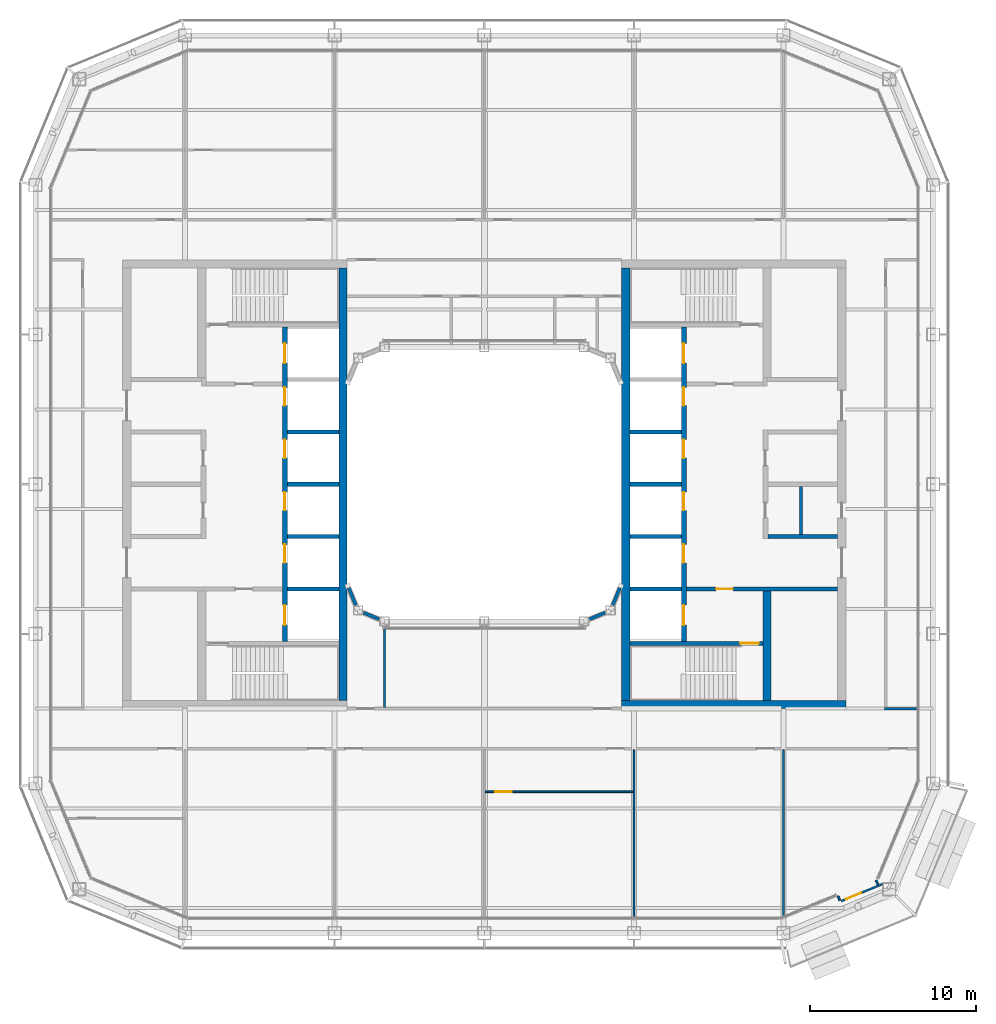
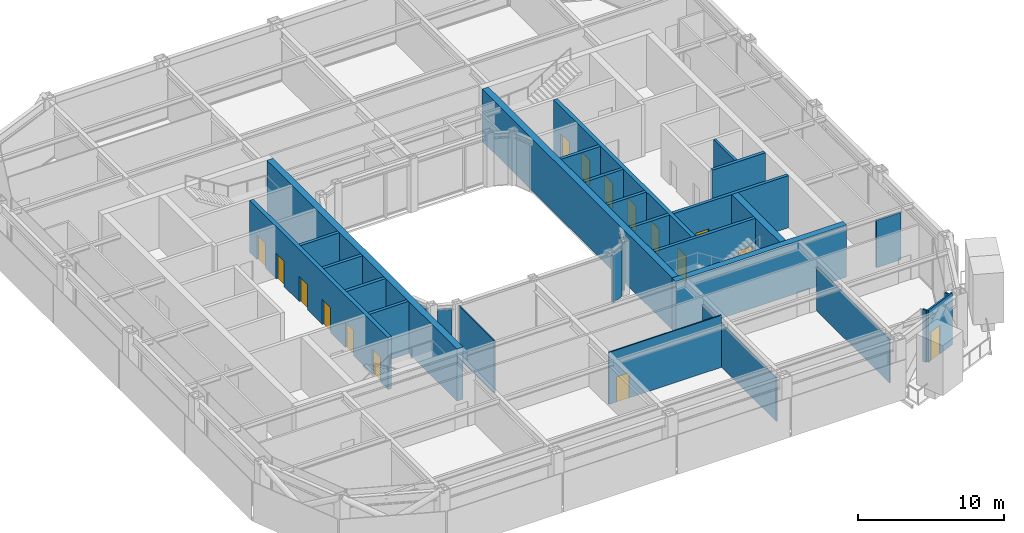
# One storey, part 13 of 22: 30 walls, 16 doors, 16 openings.
"""IFC4 building model written with IfcOpenShell, lengths in metres."""

from ifc_helpers import new_model, si_unit, direction, frame, frame_2d, origin, place, context, subcontext, project, spatial, rectangle, extrude, material, layer, layer_set, type_object, element, fill, save


model = new_model("IFC4")

# Units and contexts
model_context = context("Model", 3, precision=1e-05, world=origin(), true_north=direction((0.0, 1.0)))
body_context = subcontext(model_context, "Body", "Model", "MODEL_VIEW")
ifc_project = project(units=[si_unit("LENGTHUNIT", "METRE"), si_unit("AREAUNIT", "SQUARE_METRE"), si_unit("VOLUMEUNIT", "CUBIC_METRE"), si_unit("PLANEANGLEUNIT", "RADIAN"), si_unit("MASSUNIT", "GRAM", prefix="KILO")], contexts=[model_context])

# Site, building, storey
site_placement = place(None, origin())
site = spatial("IfcSite", under=ifc_project, at=site_placement, CompositionType="ELEMENT")
building_placement = place(site_placement, origin())
building = spatial("IfcBuilding", under=site, at=building_placement, Name="Siwar Civic Tower", CompositionType="ELEMENT")
storey_placement = place(building_placement, frame((0.0, 0.0, 255.699951171875)))
storey = spatial("IfcBuildingStorey", under=building, at=storey_placement, Name="L55", CompositionType="ELEMENT", Elevation=255.699951171875)

# Walls
ifc_material_1 = material(Name="Gypsum board on steel studs", Category="steel")
ifc_layer_1 = layer(ifc_material_1, 0.199951171875)
ifc_layer_set_1 = layer_set([ifc_layer_1], Name="Gypsum board on steel studs")
wall_type_1 = type_object("IfcWallType", Name="CORE-PARTITION-200", PredefinedType="PARTITIONING", material=ifc_layer_set_1)
wall_1_placement = place(storey_placement, frame((19.050048828125, -3.02490234375, 0.0), z_axis=(0.0, 0.0, 1.0), x_axis=(0.0, 1.0, 0.0)))
element("IfcWall", 1, at=wall_1_placement, inside=storey, type_object=wall_type_1, Name="Core partition E", PredefinedType="PARTITIONING", context=body_context, shape_type="SweptSolid", body=[
    extrude(rectangle(XDim=2.89990234375, YDim=0.199951171875, at=frame_2d((1.449951171875, 0.0))), origin(), (0.0, 0.0, 1.0), 4.35009765625),
])
ifc_material_2 = material(Name="Concrete C60/75", Category="concrete")
ifc_layer_2 = layer(ifc_material_2, 0.25)
ifc_layer_set_2 = layer_set([ifc_layer_2], Name="Concrete C60/75")
wall_type_2 = type_object("IfcWallType", Name="CORE-WALL-RC250", PredefinedType="SHEAR", material=ifc_layer_set_2)
for number, where, z_axis, x_axis, name in (
    (2, (-8.75, 0.0, 0.0), (0.0, 0.0, 1.0), (-1.0, 0.0, 0.0), "Core wall W"),
    (3, (-8.75, 3.14990234375, 0.0), (0.0, 0.0, 1.0), (-1.0, 0.0, 0.0), "Core wall W"),
    (4, (-8.75, -3.14990234375, 0.0), (0.0, 0.0, 1.0), (-1.0, 0.0, 0.0), "Core wall W"),
    (5, (-8.75, -6.300048828125, 0.0), (0.0, 0.0, 1.0), (-1.0, 0.0, 0.0), "Core wall W"),
):
    element("IfcWall", number, at=place(storey_placement, frame(where, z_axis=z_axis, x_axis=x_axis)), inside=storey, type_object=wall_type_2, Name=name, PredefinedType="SHEAR", context=body_context, shape_type="SweptSolid", body=[
        extrude(rectangle(XDim=3.10009765625, YDim=0.25, at=frame_2d((1.550048828125, 0.0))), origin(), (0.0, 0.0, 1.0), 4.35009765625),
    ])

# Wall, opening, door
wall_2_placement = place(storey_placement, frame((12.14990234375, -6.300048828125, 0.0), z_axis=(0.0, 0.0, 1.0), x_axis=(1.0, 0.0, 0.0)))
wall_2 = element("IfcWall", 6, at=wall_2_placement, inside=storey, type_object=wall_type_2, Name="Core wall E", PredefinedType="SHEAR", context=body_context, shape_type="SweptSolid", body=[
    extrude(rectangle(XDim=9.10009765625, YDim=0.25, at=frame_2d((4.550048828125, 0.0))), origin(), (0.0, 0.0, 1.0), 4.35009765625),
])
opening_1_placement = place(wall_2_placement, frame((1.800048828125, 0.0, 0.0)))
opening_1 = element("IfcOpeningElement", 7, at=opening_1_placement, cuts=wall_2, Name="Opening L55-CE02", PredefinedType="OPENING", context=body_context, shape_type="SweptSolid", body=[
    extrude(rectangle(XDim=1.0, YDim=2.10009765625, at=frame_2d((0.5, 1.050048828125))), frame((0.0, 0.135009765625, 0.0), z_axis=(0.0, -1.0, 0.0), x_axis=(1.0, 0.0, 0.0)), (0.0, 0.0, 1.0), 0.27001953125),
])
ifc_material_3 = material(Name="Steel door leaf", Category="steel")
door_type_1 = type_object("IfcDoorType", Name="CORE-DOOR-FD30S", OperationType="SINGLE_SWING_LEFT", PredefinedType="DOOR", material=ifc_material_3)
door_1_placement = place(opening_1_placement, origin())
door_1 = element("IfcDoor", 8, at=door_1_placement, inside=storey, type_object=door_type_1, Name="Service lobby door L55-CE02", OperationType="SINGLE_SWING_LEFT", OverallHeight=2.10009765625, OverallWidth=1.0, PredefinedType="DOOR", context=body_context, shape_type="SweptSolid", body=[
    extrude(rectangle(XDim=1.0, YDim=2.10009765625, at=frame_2d((0.5, 1.050048828125))), frame((0.0, 0.02490234375, 0.0), z_axis=(0.0, -1.0, 0.0), x_axis=(1.0, 0.0, 0.0)), (0.0, 0.0, 1.0), 0.050048828125),
])
fill(opening_1, door_1)

# Walls
wall_3_placement = place(storey_placement, frame((17.050048828125, -3.14990234375, 0.0), z_axis=(0.0, 0.0, 1.0), x_axis=(1.0, 0.0, 0.0)))
element("IfcWall", 9, at=wall_3_placement, inside=storey, type_object=wall_type_2, Name="Core wall E", PredefinedType="SHEAR", context=body_context, shape_type="SweptSolid", body=[
    extrude(rectangle(XDim=4.199951171875, YDim=0.25, at=frame_2d((2.10009765625, 0.0))), origin(), (0.0, 0.0, 1.0), 4.35009765625),
])
for number, where, z_axis, x_axis, name in (
    (10, (8.75, 0.0, 0.0), (0.0, 0.0, 1.0), (1.0, 0.0, 0.0), "Core wall E"),
    (11, (8.75, 3.14990234375, 0.0), (0.0, 0.0, 1.0), (1.0, 0.0, 0.0), "Core wall E"),
    (12, (8.75, -3.14990234375, 0.0), (0.0, 0.0, 1.0), (1.0, 0.0, 0.0), "Core wall E"),
    (13, (8.75, -6.300048828125, 0.0), (0.0, 0.0, 1.0), (1.0, 0.0, 0.0), "Core wall E"),
):
    element("IfcWall", number, at=place(storey_placement, frame(where, z_axis=z_axis, x_axis=x_axis)), inside=storey, type_object=wall_type_2, Name=name, PredefinedType="SHEAR", context=body_context, shape_type="SweptSolid", body=[
        extrude(rectangle(XDim=3.10009765625, YDim=0.25, at=frame_2d((1.550048828125, 0.0))), origin(), (0.0, 0.0, 1.0), 4.35009765625),
    ])

# Wall, opening, door
wall_4_placement = place(storey_placement, frame((8.75, -9.574951171875, 0.0), z_axis=(0.0, 0.0, 1.0), x_axis=(1.0, 0.0, 0.0)))
wall_4 = element("IfcWall", 14, at=wall_4_placement, inside=storey, type_object=wall_type_2, Name="Core wall E", PredefinedType="SHEAR", context=body_context, shape_type="SweptSolid", body=[
    extrude(rectangle(XDim=8.0, YDim=0.25, at=frame_2d((4.0, 0.0))), origin(), (0.0, 0.0, 1.0), 4.35009765625),
])
opening_2_placement = place(wall_4_placement, frame((6.64990234375, 0.0, 0.0)))
opening_2 = element("IfcOpeningElement", 15, at=opening_2_placement, cuts=wall_4, Name="Opening L55-CE04", PredefinedType="OPENING", context=body_context, shape_type="SweptSolid", body=[
    extrude(rectangle(XDim=1.10009765625, YDim=2.10009765625, at=frame_2d((0.550048828125, 1.050048828125))), frame((0.0, 0.135009765625, 0.0), z_axis=(0.0, -1.0, 0.0), x_axis=(1.0, 0.0, 0.0)), (0.0, 0.0, 1.0), 0.27001953125),
])
ifc_material_4 = material(Name="Steel door leaf", Category="steel")
door_type_2 = type_object("IfcDoorType", Name="CORE-DOOR-FD60S", OperationType="SINGLE_SWING_LEFT", PredefinedType="DOOR", material=ifc_material_4)
door_2_placement = place(opening_2_placement, origin())
door_2 = element("IfcDoor", 16, at=door_2_placement, inside=storey, type_object=door_type_2, Name="Stair door L55-CE04", OperationType="SINGLE_SWING_RIGHT", OverallHeight=2.10009765625, OverallWidth=1.10009765625, PredefinedType="DOOR", context=body_context, shape_type="SweptSolid", body=[
    extrude(rectangle(XDim=1.10009765625, YDim=2.10009765625, at=frame_2d((0.550048828125, 1.050048828125))), frame((0.0, 0.02490234375, 0.0), z_axis=(0.0, -1.0, 0.0), x_axis=(1.0, 0.0, 0.0)), (0.0, 0.0, 1.0), 0.050048828125),
])
fill(opening_2, door_2)

# Wall, openings, doors
ifc_material_5 = material(Name="Concrete C60/75", Category="concrete")
ifc_layer_3 = layer(ifc_material_5, 0.300048828125)
ifc_layer_set_3 = layer_set([ifc_layer_3], Name="Concrete C60/75")
wall_type_3 = type_object("IfcWallType", Name="CORE-WALL-RC300", PredefinedType="SHEAR", material=ifc_layer_set_3)
wall_5_placement = place(storey_placement, frame((-12.0, -9.449951171875, 0.0), z_axis=(0.0, 0.0, 1.0), x_axis=(0.0, 1.0, 0.0)))
wall_5 = element("IfcWall", 17, at=wall_5_placement, inside=storey, type_object=wall_type_3, Name="Core wall W", PredefinedType="SHEAR", context=body_context, shape_type="SweptSolid", body=[
    extrude(rectangle(XDim=18.89990234375, YDim=0.300048828125, at=frame_2d((9.449951171875, 0.0))), origin(), (0.0, 0.0, 1.0), 4.35009765625),
])
opening_3_placement = place(wall_5_placement, frame((4.72509765625, 0.0, 0.0)))
opening_3 = element("IfcOpeningElement", 18, at=opening_3_placement, cuts=wall_5, Name="Opening L55-CW07", PredefinedType="OPENING", context=body_context, shape_type="SweptSolid", body=[
    extrude(rectangle(XDim=1.10009765625, YDim=2.10009765625, at=frame_2d((0.550048828125, 1.050048828125))), frame((0.0, 0.16015625, 0.0), z_axis=(0.0, -1.0, 0.0), x_axis=(1.0, 0.0, 0.0)), (0.0, 0.0, 1.0), 0.320068359375),
])
opening_4_placement = place(wall_5_placement, frame((7.875, 0.0, 0.0)))
opening_4 = element("IfcOpeningElement", 19, at=opening_4_placement, cuts=wall_5, Name="Opening L55-CW08", PredefinedType="OPENING", context=body_context, shape_type="SweptSolid", body=[
    extrude(rectangle(XDim=1.10009765625, YDim=2.10009765625, at=frame_2d((0.550048828125, 1.050048828125))), frame((0.0, 0.16015625, 0.0), z_axis=(0.0, -1.0, 0.0), x_axis=(1.0, 0.0, 0.0)), (0.0, 0.0, 1.0), 0.320068359375),
])
opening_5_placement = place(wall_5_placement, frame((11.02490234375, 0.0, 0.0)))
opening_5 = element("IfcOpeningElement", 20, at=opening_5_placement, cuts=wall_5, Name="Opening L55-CW09", PredefinedType="OPENING", context=body_context, shape_type="SweptSolid", body=[
    extrude(rectangle(XDim=1.10009765625, YDim=2.10009765625, at=frame_2d((0.550048828125, 1.050048828125))), frame((0.0, 0.16015625, 0.0), z_axis=(0.0, -1.0, 0.0), x_axis=(1.0, 0.0, 0.0)), (0.0, 0.0, 1.0), 0.320068359375),
])
opening_6_placement = place(wall_5_placement, frame((14.175048828125, 0.0, 0.0)))
opening_6 = element("IfcOpeningElement", 21, at=opening_6_placement, cuts=wall_5, Name="Opening L55-CW10", PredefinedType="OPENING", context=body_context, shape_type="SweptSolid", body=[
    extrude(rectangle(XDim=1.10009765625, YDim=2.10009765625, at=frame_2d((0.550048828125, 1.050048828125))), frame((0.0, 0.16015625, 0.0), z_axis=(0.0, -1.0, 0.0), x_axis=(1.0, 0.0, 0.0)), (0.0, 0.0, 1.0), 0.320068359375),
])
opening_7_placement = place(wall_5_placement, frame((16.72509765625, 0.0, 0.0)))
opening_7 = element("IfcOpeningElement", 22, at=opening_7_placement, cuts=wall_5, Name="Opening L55-CW11", PredefinedType="OPENING", context=body_context, shape_type="SweptSolid", body=[
    extrude(rectangle(XDim=1.199951171875, YDim=2.10009765625, at=frame_2d((0.60009765625, 1.050048828125))), frame((0.0, 0.16015625, 0.0), z_axis=(0.0, -1.0, 0.0), x_axis=(1.0, 0.0, 0.0)), (0.0, 0.0, 1.0), 0.320068359375),
])
opening_8_placement = place(wall_5_placement, frame((0.97509765625, 0.0, 0.0)))
opening_8 = element("IfcOpeningElement", 23, at=opening_8_placement, cuts=wall_5, Name="Opening L55-CW12", PredefinedType="OPENING", context=body_context, shape_type="SweptSolid", body=[
    extrude(rectangle(XDim=1.199951171875, YDim=2.10009765625, at=frame_2d((0.60009765625, 1.050048828125))), frame((0.0, 0.16015625, 0.0), z_axis=(0.0, -1.0, 0.0), x_axis=(1.0, 0.0, 0.0)), (0.0, 0.0, 1.0), 0.320068359375),
])
ifc_material_6 = material(Name="Steel door leaf", Category="steel")
door_type_3 = type_object("IfcDoorType", Name="CORE-DOOR-LD", OperationType="DOUBLE_DOOR_SLIDING", PredefinedType="DOOR", material=ifc_material_6)
door_3_placement = place(opening_3_placement, origin())
door_3 = element("IfcDoor", 24, at=door_3_placement, inside=storey, type_object=door_type_3, Name="Landing door HR1 L55-CW07", OperationType="DOUBLE_DOOR_SLIDING", OverallHeight=2.10009765625, OverallWidth=1.10009765625, PredefinedType="DOOR", context=body_context, shape_type="SweptSolid", body=[
    extrude(rectangle(XDim=1.10009765625, YDim=2.10009765625, at=frame_2d((0.550048828125, 1.050048828125))), frame((0.0, 0.02490234375, 0.0), z_axis=(0.0, -1.0, 0.0), x_axis=(1.0, 0.0, 0.0)), (0.0, 0.0, 1.0), 0.050048828125),
])
fill(opening_3, door_3)
door_4_placement = place(opening_4_placement, origin())
door_4 = element("IfcDoor", 25, at=door_4_placement, inside=storey, type_object=door_type_3, Name="Landing door HR2 L55-CW08", OperationType="DOUBLE_DOOR_SLIDING", OverallHeight=2.10009765625, OverallWidth=1.10009765625, PredefinedType="DOOR", context=body_context, shape_type="SweptSolid", body=[
    extrude(rectangle(XDim=1.10009765625, YDim=2.10009765625, at=frame_2d((0.550048828125, 1.050048828125))), frame((0.0, 0.02490234375, 0.0), z_axis=(0.0, -1.0, 0.0), x_axis=(1.0, 0.0, 0.0)), (0.0, 0.0, 1.0), 0.050048828125),
])
fill(opening_4, door_4)
door_5_placement = place(opening_5_placement, origin())
door_5 = element("IfcDoor", 26, at=door_5_placement, inside=storey, type_object=door_type_3, Name="Landing door HR3 L55-CW09", OperationType="DOUBLE_DOOR_SLIDING", OverallHeight=2.10009765625, OverallWidth=1.10009765625, PredefinedType="DOOR", context=body_context, shape_type="SweptSolid", body=[
    extrude(rectangle(XDim=1.10009765625, YDim=2.10009765625, at=frame_2d((0.550048828125, 1.050048828125))), frame((0.0, 0.02490234375, 0.0), z_axis=(0.0, -1.0, 0.0), x_axis=(1.0, 0.0, 0.0)), (0.0, 0.0, 1.0), 0.050048828125),
])
fill(opening_5, door_5)
door_6_placement = place(opening_6_placement, origin())
door_6 = element("IfcDoor", 27, at=door_6_placement, inside=storey, type_object=door_type_3, Name="Landing door HR4 L55-CW10", OperationType="DOUBLE_DOOR_SLIDING", OverallHeight=2.10009765625, OverallWidth=1.10009765625, PredefinedType="DOOR", context=body_context, shape_type="SweptSolid", body=[
    extrude(rectangle(XDim=1.10009765625, YDim=2.10009765625, at=frame_2d((0.550048828125, 1.050048828125))), frame((0.0, 0.02490234375, 0.0), z_axis=(0.0, -1.0, 0.0), x_axis=(1.0, 0.0, 0.0)), (0.0, 0.0, 1.0), 0.050048828125),
])
fill(opening_6, door_6)
ifc_material_7 = material(Name="Steel door leaf", Category="steel")
door_type_4 = type_object("IfcDoorType", Name="CORE-DOOR-LDW", OperationType="DOUBLE_DOOR_SLIDING", PredefinedType="DOOR", material=ifc_material_7)
door_7_placement = place(opening_7_placement, origin())
door_7 = element("IfcDoor", 28, at=door_7_placement, inside=storey, type_object=door_type_4, Name="Landing door FF1 L55-CW11", OperationType="DOUBLE_DOOR_SLIDING", OverallHeight=2.10009765625, OverallWidth=1.199951171875, PredefinedType="DOOR", context=body_context, shape_type="SweptSolid", body=[
    extrude(rectangle(XDim=1.199951171875, YDim=2.10009765625, at=frame_2d((0.60009765625, 1.050048828125))), frame((0.0, 0.02490234375, 0.0), z_axis=(0.0, -1.0, 0.0), x_axis=(1.0, 0.0, 0.0)), (0.0, 0.0, 1.0), 0.050048828125),
])
fill(opening_7, door_7)
door_8_placement = place(opening_8_placement, origin())
door_8 = element("IfcDoor", 29, at=door_8_placement, inside=storey, type_object=door_type_4, Name="Landing door SV1 L55-CW12", OperationType="DOUBLE_DOOR_SLIDING", OverallHeight=2.10009765625, OverallWidth=1.199951171875, PredefinedType="DOOR", context=body_context, shape_type="SweptSolid", body=[
    extrude(rectangle(XDim=1.199951171875, YDim=2.10009765625, at=frame_2d((0.60009765625, 1.050048828125))), frame((0.0, 0.02490234375, 0.0), z_axis=(0.0, -1.0, 0.0), x_axis=(1.0, 0.0, 0.0)), (0.0, 0.0, 1.0), 0.050048828125),
])
fill(opening_8, door_8)

wall_6_placement = place(storey_placement, frame((12.0, -9.449951171875, 0.0), z_axis=(0.0, 0.0, 1.0), x_axis=(0.0, 1.0, 0.0)))
wall_6 = element("IfcWall", 30, at=wall_6_placement, inside=storey, type_object=wall_type_3, Name="Core wall E", PredefinedType="SHEAR", context=body_context, shape_type="SweptSolid", body=[
    extrude(rectangle(XDim=18.89990234375, YDim=0.300048828125, at=frame_2d((9.449951171875, 0.0))), origin(), (0.0, 0.0, 1.0), 4.35009765625),
])
opening_9_placement = place(wall_6_placement, frame((4.72509765625, 0.0, 0.0)))
opening_9 = element("IfcOpeningElement", 31, at=opening_9_placement, cuts=wall_6, Name="Opening L55-CE07", PredefinedType="OPENING", context=body_context, shape_type="SweptSolid", body=[
    extrude(rectangle(XDim=1.10009765625, YDim=2.10009765625, at=frame_2d((0.550048828125, 1.050048828125))), frame((0.0, 0.16015625, 0.0), z_axis=(0.0, -1.0, 0.0), x_axis=(1.0, 0.0, 0.0)), (0.0, 0.0, 1.0), 0.320068359375),
])
opening_10_placement = place(wall_6_placement, frame((7.875, 0.0, 0.0)))
opening_10 = element("IfcOpeningElement", 32, at=opening_10_placement, cuts=wall_6, Name="Opening L55-CE08", PredefinedType="OPENING", context=body_context, shape_type="SweptSolid", body=[
    extrude(rectangle(XDim=1.10009765625, YDim=2.10009765625, at=frame_2d((0.550048828125, 1.050048828125))), frame((0.0, 0.16015625, 0.0), z_axis=(0.0, -1.0, 0.0), x_axis=(1.0, 0.0, 0.0)), (0.0, 0.0, 1.0), 0.320068359375),
])
opening_11_placement = place(wall_6_placement, frame((11.02490234375, 0.0, 0.0)))
opening_11 = element("IfcOpeningElement", 33, at=opening_11_placement, cuts=wall_6, Name="Opening L55-CE09", PredefinedType="OPENING", context=body_context, shape_type="SweptSolid", body=[
    extrude(rectangle(XDim=1.10009765625, YDim=2.10009765625, at=frame_2d((0.550048828125, 1.050048828125))), frame((0.0, 0.16015625, 0.0), z_axis=(0.0, -1.0, 0.0), x_axis=(1.0, 0.0, 0.0)), (0.0, 0.0, 1.0), 0.320068359375),
])
opening_12_placement = place(wall_6_placement, frame((14.175048828125, 0.0, 0.0)))
opening_12 = element("IfcOpeningElement", 34, at=opening_12_placement, cuts=wall_6, Name="Opening L55-CE10", PredefinedType="OPENING", context=body_context, shape_type="SweptSolid", body=[
    extrude(rectangle(XDim=1.10009765625, YDim=2.10009765625, at=frame_2d((0.550048828125, 1.050048828125))), frame((0.0, 0.16015625, 0.0), z_axis=(0.0, -1.0, 0.0), x_axis=(1.0, 0.0, 0.0)), (0.0, 0.0, 1.0), 0.320068359375),
])
opening_13_placement = place(wall_6_placement, frame((16.72509765625, 0.0, 0.0)))
opening_13 = element("IfcOpeningElement", 35, at=opening_13_placement, cuts=wall_6, Name="Opening L55-CE11", PredefinedType="OPENING", context=body_context, shape_type="SweptSolid", body=[
    extrude(rectangle(XDim=1.199951171875, YDim=2.10009765625, at=frame_2d((0.60009765625, 1.050048828125))), frame((0.0, 0.16015625, 0.0), z_axis=(0.0, -1.0, 0.0), x_axis=(1.0, 0.0, 0.0)), (0.0, 0.0, 1.0), 0.320068359375),
])
opening_14_placement = place(wall_6_placement, frame((0.97509765625, 0.0, 0.0)))
opening_14 = element("IfcOpeningElement", 36, at=opening_14_placement, cuts=wall_6, Name="Opening L55-CE12", PredefinedType="OPENING", context=body_context, shape_type="SweptSolid", body=[
    extrude(rectangle(XDim=1.199951171875, YDim=2.10009765625, at=frame_2d((0.60009765625, 1.050048828125))), frame((0.0, 0.16015625, 0.0), z_axis=(0.0, -1.0, 0.0), x_axis=(1.0, 0.0, 0.0)), (0.0, 0.0, 1.0), 0.320068359375),
])
door_9_placement = place(opening_9_placement, origin())
door_9 = element("IfcDoor", 37, at=door_9_placement, inside=storey, type_object=door_type_3, Name="Landing door HR5 L55-CE07", OperationType="DOUBLE_DOOR_SLIDING", OverallHeight=2.10009765625, OverallWidth=1.10009765625, PredefinedType="DOOR", context=body_context, shape_type="SweptSolid", body=[
    extrude(rectangle(XDim=1.10009765625, YDim=2.10009765625, at=frame_2d((0.550048828125, 1.050048828125))), frame((0.0, 0.02490234375, 0.0), z_axis=(0.0, -1.0, 0.0), x_axis=(1.0, 0.0, 0.0)), (0.0, 0.0, 1.0), 0.050048828125),
])
fill(opening_9, door_9)
door_10_placement = place(opening_10_placement, origin())
door_10 = element("IfcDoor", 38, at=door_10_placement, inside=storey, type_object=door_type_3, Name="Landing door HR6 L55-CE08", OperationType="DOUBLE_DOOR_SLIDING", OverallHeight=2.10009765625, OverallWidth=1.10009765625, PredefinedType="DOOR", context=body_context, shape_type="SweptSolid", body=[
    extrude(rectangle(XDim=1.10009765625, YDim=2.10009765625, at=frame_2d((0.550048828125, 1.050048828125))), frame((0.0, 0.02490234375, 0.0), z_axis=(0.0, -1.0, 0.0), x_axis=(1.0, 0.0, 0.0)), (0.0, 0.0, 1.0), 0.050048828125),
])
fill(opening_10, door_10)
door_11_placement = place(opening_11_placement, origin())
door_11 = element("IfcDoor", 39, at=door_11_placement, inside=storey, type_object=door_type_3, Name="Landing door HR7 L55-CE09", OperationType="DOUBLE_DOOR_SLIDING", OverallHeight=2.10009765625, OverallWidth=1.10009765625, PredefinedType="DOOR", context=body_context, shape_type="SweptSolid", body=[
    extrude(rectangle(XDim=1.10009765625, YDim=2.10009765625, at=frame_2d((0.550048828125, 1.050048828125))), frame((0.0, 0.02490234375, 0.0), z_axis=(0.0, -1.0, 0.0), x_axis=(1.0, 0.0, 0.0)), (0.0, 0.0, 1.0), 0.050048828125),
])
fill(opening_11, door_11)
door_12_placement = place(opening_12_placement, origin())
door_12 = element("IfcDoor", 40, at=door_12_placement, inside=storey, type_object=door_type_3, Name="Landing door HR8 L55-CE10", OperationType="DOUBLE_DOOR_SLIDING", OverallHeight=2.10009765625, OverallWidth=1.10009765625, PredefinedType="DOOR", context=body_context, shape_type="SweptSolid", body=[
    extrude(rectangle(XDim=1.10009765625, YDim=2.10009765625, at=frame_2d((0.550048828125, 1.050048828125))), frame((0.0, 0.02490234375, 0.0), z_axis=(0.0, -1.0, 0.0), x_axis=(1.0, 0.0, 0.0)), (0.0, 0.0, 1.0), 0.050048828125),
])
fill(opening_12, door_12)
door_13_placement = place(opening_13_placement, origin())
door_13 = element("IfcDoor", 41, at=door_13_placement, inside=storey, type_object=door_type_4, Name="Landing door FF2 L55-CE11", OperationType="DOUBLE_DOOR_SLIDING", OverallHeight=2.10009765625, OverallWidth=1.199951171875, PredefinedType="DOOR", context=body_context, shape_type="SweptSolid", body=[
    extrude(rectangle(XDim=1.199951171875, YDim=2.10009765625, at=frame_2d((0.60009765625, 1.050048828125))), frame((0.0, 0.02490234375, 0.0), z_axis=(0.0, -1.0, 0.0), x_axis=(1.0, 0.0, 0.0)), (0.0, 0.0, 1.0), 0.050048828125),
])
fill(opening_13, door_13)
door_14_placement = place(opening_14_placement, origin())
door_14 = element("IfcDoor", 42, at=door_14_placement, inside=storey, type_object=door_type_4, Name="Landing door SV2 L55-CE12", OperationType="DOUBLE_DOOR_SLIDING", OverallHeight=2.10009765625, OverallWidth=1.199951171875, PredefinedType="DOOR", context=body_context, shape_type="SweptSolid", body=[
    extrude(rectangle(XDim=1.199951171875, YDim=2.10009765625, at=frame_2d((0.60009765625, 1.050048828125))), frame((0.0, 0.02490234375, 0.0), z_axis=(0.0, -1.0, 0.0), x_axis=(1.0, 0.0, 0.0)), (0.0, 0.0, 1.0), 0.050048828125),
])
fill(opening_14, door_14)

# Walls
ifc_material_8 = material(Name="Concrete C60/75", Category="concrete")
ifc_layer_4 = layer(ifc_material_8, 0.5)
ifc_layer_set_4 = layer_set([ifc_layer_4], Name="Concrete C60/75")
wall_type_4 = type_object("IfcWallType", Name="CORE-WALL-RC500", PredefinedType="SHEAR", material=ifc_layer_set_4)
wall_7_placement = place(storey_placement, frame((17.0, -13.0, 0.0), z_axis=(0.0, 0.0, 1.0), x_axis=(0.0, 1.0, 0.0)))
element("IfcWall", 43, at=wall_7_placement, inside=storey, type_object=wall_type_4, Name="Core wall E", PredefinedType="SHEAR", context=body_context, shape_type="SweptSolid", body=[
    extrude(rectangle(XDim=6.574951171875, YDim=0.5, at=frame_2d((3.28759765625, 0.0))), origin(), (0.0, 0.0, 1.0), 4.35009765625),
])
wall_8_placement = place(storey_placement, frame((8.25, -13.25, 0.0), z_axis=(0.0, 0.0, 1.0), x_axis=(1.0, 0.0, 0.0)))
element("IfcWall", 44, at=wall_8_placement, inside=storey, type_object=wall_type_4, Name="Core wall E", PredefinedType="SHEAR", context=body_context, shape_type="SweptSolid", body=[
    extrude(rectangle(XDim=13.5, YDim=0.5, at=frame_2d((6.75, 0.0))), origin(), (0.0, 0.0, 1.0), 4.35009765625),
])
ifc_material_9 = material(Name="Concrete C60/75", Category="concrete")
ifc_layer_5 = layer(ifc_material_9, 0.5)
ifc_layer_set_5 = layer_set([ifc_layer_5], Name="Concrete C60/75")
wall_type_5 = type_object("IfcWallType", Name="CORE-WALL-RC500-EXT", PredefinedType="SHEAR", material=ifc_layer_set_5)
for number, where, z_axis, x_axis, name in (
    (45, (-8.5, -13.0, 0.0), (0.0, 0.0, 1.0), (0.0, 1.0, 0.0), "Core wall W"),
    (46, (8.5, -13.0, 0.0), (0.0, 0.0, 1.0), (0.0, 1.0, 0.0), "Core wall E"),
):
    element("IfcWall", number, at=place(storey_placement, frame(where, z_axis=z_axis, x_axis=x_axis)), inside=storey, type_object=wall_type_5, Name=name, PredefinedType="SHEAR", context=body_context, shape_type="SweptSolid", body=[
        extrude(rectangle(XDim=26.0, YDim=0.5, at=frame_2d((13.0, 0.0))), origin(), (0.0, 0.0, 1.0), 4.35009765625),
    ])
ifc_material_10 = material(Name="Gypsum board on steel studs", Category="steel")
ifc_layer_6 = layer(ifc_material_10, 0.14990234375)
ifc_layer_set_6 = layer_set([ifc_layer_6], Name="Gypsum board on steel studs")
wall_type_6 = type_object("IfcWallType", Name="CORRIDOR PARTITION 150 EI 30", PredefinedType="PARTITIONING", material=ifc_layer_set_6)
wall_9_placement = place(storey_placement, frame((24.074951171875, -13.5, 0.0), z_axis=(0.0, 0.0, 1.0), x_axis=(1.0, 0.0, 0.0)))
element("IfcWall", 47, at=wall_9_placement, inside=storey, type_object=wall_type_6, Name="L55/wall/P06", PredefinedType="PARTITIONING", context=body_context, shape_type="SweptSolid", body=[
    extrude(rectangle(XDim=1.93505859375, YDim=0.14990234375, at=frame_2d((0.967529296875, 0.0))), origin(), (0.0, 0.0, 1.0), 3.949951171875),
])
ifc_material_11 = material(Name="Aluminium clad insulated panel", Category="aluminium")
ifc_layer_7 = layer(ifc_material_11, 0.1201171875)
ifc_layer_set_7 = layer_set([ifc_layer_7], Name="Aluminium clad insulated panel")
wall_type_7 = type_object("IfcWallType", Name="ENV-WALL-BAL", PredefinedType="STANDARD", material=ifc_layer_set_7)
wall_10_placement = place(storey_placement, frame((21.27587890625, -24.766357421875, 0.0), z_axis=(0.0, 0.0, 1.0), x_axis=(0.382591441855, -0.923917630863, 0.0)))
element("IfcWall", 48, at=wall_10_placement, inside=storey, type_object=wall_type_7, Name="Balcony door wall return SE1", PredefinedType="STANDARD", context=body_context, shape_type="SweptSolid", body=[
    extrude(rectangle(XDim=0.2998046875, YDim=0.1201171875, at=frame_2d((0.14990234375, 0.0))), origin(), (0.0, 0.0, 1.0), 4.35009765625),
])
wall_11_placement = place(storey_placement, frame((23.56640625, -23.817626953125, 0.0), z_axis=(0.0, 0.0, 1.0), x_axis=(0.383285987724, -0.923629715641, 0.0)))
element("IfcWall", 49, at=wall_11_placement, inside=storey, type_object=wall_type_7, Name="Balcony door wall return SE1", PredefinedType="STANDARD", context=body_context, shape_type="SweptSolid", body=[
    extrude(rectangle(XDim=0.300048828125, YDim=0.1201171875, at=frame_2d((0.14990234375, 0.0))), origin(), (0.0, 0.0, 1.0), 4.35009765625),
])

# Wall, opening, door
wall_12_placement = place(storey_placement, frame((21.468994140625, -25.075927734375, 0.0), z_axis=(0.0, 0.0, 1.0), x_axis=(0.923874686516, 0.382695131424, 0.0)))
wall_12 = element("IfcWall", 50, at=wall_12_placement, inside=storey, type_object=wall_type_7, Name="Balcony door wall SE1", PredefinedType="STANDARD", context=body_context, shape_type="SweptSolid", body=[
    extrude(rectangle(XDim=2.700439453125, YDim=0.1201171875, at=frame_2d((1.35009765625, 0.0))), origin(), (0.0, 0.0, 1.0), 4.35009765625),
])
opening_15_placement = place(wall_12_placement, frame((0.300048828125, 0.0, 0.0)))
opening_15 = element("IfcOpeningElement", 51, at=opening_15_placement, cuts=wall_12, Name="Opening D-BAL", PredefinedType="OPENING", context=body_context, shape_type="SweptSolid", body=[
    extrude(rectangle(XDim=1.0, YDim=2.39990234375, at=frame_2d((0.5, 1.199951171875))), frame((0.0, 0.070068359375, 0.0), z_axis=(0.0, -1.0, 0.0), x_axis=(1.0, 0.0, 0.0)), (0.0, 0.0, 1.0), 0.14013671875),
])
ifc_material_12 = material(Name="Aluminium and glass", Category="aluminium")
door_type_5 = type_object("IfcDoorType", Name="ENV-DOOR-BAL", OperationType="SINGLE_SWING_LEFT", PredefinedType="DOOR", material=ifc_material_12)
door_15_placement = place(opening_15_placement, origin())
door_15 = element("IfcDoor", 52, at=door_15_placement, inside=storey, type_object=door_type_5, Name="Balcony door SE", OperationType="SINGLE_SWING_LEFT", OverallHeight=2.39990234375, OverallWidth=1.0, PredefinedType="DOOR", context=body_context, shape_type="SweptSolid", body=[
    extrude(rectangle(XDim=1.0, YDim=2.39990234375, at=frame_2d((0.5, 1.199951171875))), frame((0.0, 0.02490234375, 0.0), z_axis=(0.0, -1.0, 0.0), x_axis=(1.0, 0.0, 0.0)), (0.0, 0.0, 1.0), 0.050048828125),
])
fill(opening_15, door_15)

# Walls
ifc_material_13 = material(Name="Aluminium clad insulated panel", Category="aluminium")
ifc_layer_8 = layer(ifc_material_13, 0.199951171875)
ifc_layer_set_8 = layer_set([ifc_layer_8], Name="Aluminium clad insulated panel")
wall_type_8 = type_object("IfcWallType", Name="ENV-WALL-WELL", PredefinedType="STANDARD", material=ifc_layer_set_8)
wall_13_placement = place(storey_placement, frame((6.33203125, -8.112548828125, 0.0), z_axis=(0.0, 0.0, 1.0), x_axis=(0.923859650767, 0.382731427616, 0.0)))
element("IfcWall", 53, at=wall_13_placement, inside=storey, type_object=wall_type_8, Name="Light well corner wall SE1", PredefinedType="STANDARD", context=body_context, shape_type="SweptSolid", body=[
    extrude(rectangle(XDim=1.00341796875, YDim=0.199951171875, at=frame_2d((0.501708984375, 0.0))), origin(), (0.0, 0.0, 1.0), 3.91796875),
])
for number, where, z_axis, x_axis, name in (
    (54, (7.728515625, -7.259033203125, 0.0), (0.0, 0.0, 1.0), (0.382635994082, 0.923899180665, 0.0), "Light well corner wall SE2"),
    (55, (-8.154296875, -6.23095703125, 0.0), (0.0, 0.0, 1.0), (0.382635994082, -0.923899180665, 0.0), "Light well corner wall SW1"),
):
    element("IfcWall", number, at=place(storey_placement, frame(where, z_axis=z_axis, x_axis=x_axis)), inside=storey, type_object=wall_type_8, Name=name, PredefinedType="STANDARD", context=body_context, shape_type="SweptSolid", body=[
        extrude(rectangle(XDim=1.11279296875, YDim=0.199951171875, at=frame_2d((0.556396484375, 0.0))), origin(), (0.0, 0.0, 1.0), 3.91796875),
    ])
wall_14_placement = place(storey_placement, frame((-7.259033203125, -7.728515625, 0.0), z_axis=(0.0, 0.0, 1.0), x_axis=(0.923859650767, -0.382731427616, 0.0)))
element("IfcWall", 56, at=wall_14_placement, inside=storey, type_object=wall_type_8, Name="Light well corner wall SW2", PredefinedType="STANDARD", context=body_context, shape_type="SweptSolid", body=[
    extrude(rectangle(XDim=1.00341796875, YDim=0.199951171875, at=frame_2d((0.501708984375, 0.0))), origin(), (0.0, 0.0, 1.0), 3.91796875),
])

# Wall, opening, door
ifc_material_14 = material(Name="Gypsum board on steel studs", Category="steel")
ifc_layer_9 = layer(ifc_material_14, 0.10009765625)
ifc_layer_set_9 = layer_set([ifc_layer_9], Name="Gypsum board on steel studs")
wall_type_9 = type_object("IfcWallType", Name="PARTITION 100 GYPSUM", PredefinedType="PARTITIONING", material=ifc_layer_set_9)
wall_15_placement = place(storey_placement, frame((0.050048828125, -18.5, 0.0), z_axis=(0.0, 0.0, 1.0), x_axis=(1.0, 0.0, 0.0)))
wall_15 = element("IfcWall", 57, at=wall_15_placement, inside=storey, type_object=wall_type_9, Name="L55/wall/P02", PredefinedType="PARTITIONING", context=body_context, shape_type="SweptSolid", body=[
    extrude(rectangle(XDim=8.89990234375, YDim=0.10009765625, at=frame_2d((4.449951171875, 0.0))), origin(), (0.0, 0.0, 1.0), 4.35009765625),
])
opening_16_placement = place(wall_15_placement, frame((0.60009765625, 0.0, 0.0)))
opening_16 = element("IfcOpeningElement", 58, at=opening_16_placement, cuts=wall_15, Name="Opening D2", PredefinedType="OPENING", context=body_context, shape_type="SweptSolid", body=[
    extrude(rectangle(XDim=1.0, YDim=2.10009765625, at=frame_2d((0.5, 1.050048828125))), frame((0.0, 0.06005859375, 0.0), z_axis=(0.0, -1.0, 0.0), x_axis=(1.0, 0.0, 0.0)), (0.0, 0.0, 1.0), 0.1201171875),
])
ifc_material_15 = material(Name="Timber, painted", Category="wood")
door_type_6 = type_object("IfcDoorType", Name="DOOR 1000 X 2100", OperationType="SINGLE_SWING_LEFT", PredefinedType="DOOR", material=ifc_material_15)
door_16_placement = place(opening_16_placement, origin())
door_16 = element("IfcDoor", 59, at=door_16_placement, inside=storey, type_object=door_type_6, Name="L55-D09", OperationType="SINGLE_SWING_LEFT", OverallHeight=2.10009765625, OverallWidth=1.0, PredefinedType="DOOR", context=body_context, shape_type="SweptSolid", body=[
    extrude(rectangle(XDim=1.0, YDim=2.10009765625, at=frame_2d((0.5, 1.050048828125))), frame((0.0, 0.02490234375, 0.0), z_axis=(0.0, -1.0, 0.0), x_axis=(1.0, 0.0, 0.0)), (0.0, 0.0, 1.0), 0.050048828125),
])
fill(opening_16, door_16)

# Walls
wall_16_placement = place(storey_placement, frame((-6.0, -13.425048828125, 0.0), z_axis=(0.0, 0.0, 1.0), x_axis=(0.0, 1.0, 0.0)))
element("IfcWall", 60, at=wall_16_placement, inside=storey, type_object=wall_type_9, Name="L55/wall/P20", PredefinedType="PARTITIONING", context=body_context, shape_type="SweptSolid", body=[
    extrude(rectangle(XDim=4.824951171875, YDim=0.10009765625, at=frame_2d((2.41259765625, 0.0))), origin(), (0.0, 0.0, 1.0), 4.35009765625),
])
wall_17_placement = place(storey_placement, frame((9.0, -26.010009765625, 0.0), z_axis=(0.0, 0.0, 1.0), x_axis=(0.0, 1.0, 0.0)))
element("IfcWall", 61, at=wall_17_placement, inside=storey, type_object=wall_type_9, Name="L55/wall/P26", PredefinedType="PARTITIONING", context=body_context, shape_type="SweptSolid", body=[
    extrude(rectangle(XDim=10.034912109375, YDim=0.10009765625, at=frame_2d((5.017578125, 0.0))), origin(), (0.0, 0.0, 1.0), 3.650146484375),
])
wall_18_placement = place(storey_placement, frame((18.0, -25.927978515625, 0.0), z_axis=(0.0, 0.0, 1.0), x_axis=(0.0, 1.0, 0.0)))
element("IfcWall", 62, at=wall_18_placement, inside=storey, type_object=wall_type_9, Name="L55/wall/P28", PredefinedType="PARTITIONING", context=body_context, shape_type="SweptSolid", body=[
    extrude(rectangle(XDim=9.952880859375, YDim=0.10009765625, at=frame_2d((4.9765625, 0.0))), origin(), (0.0, 0.0, 1.0), 3.650146484375),
])

save(model, "model.ifc")
